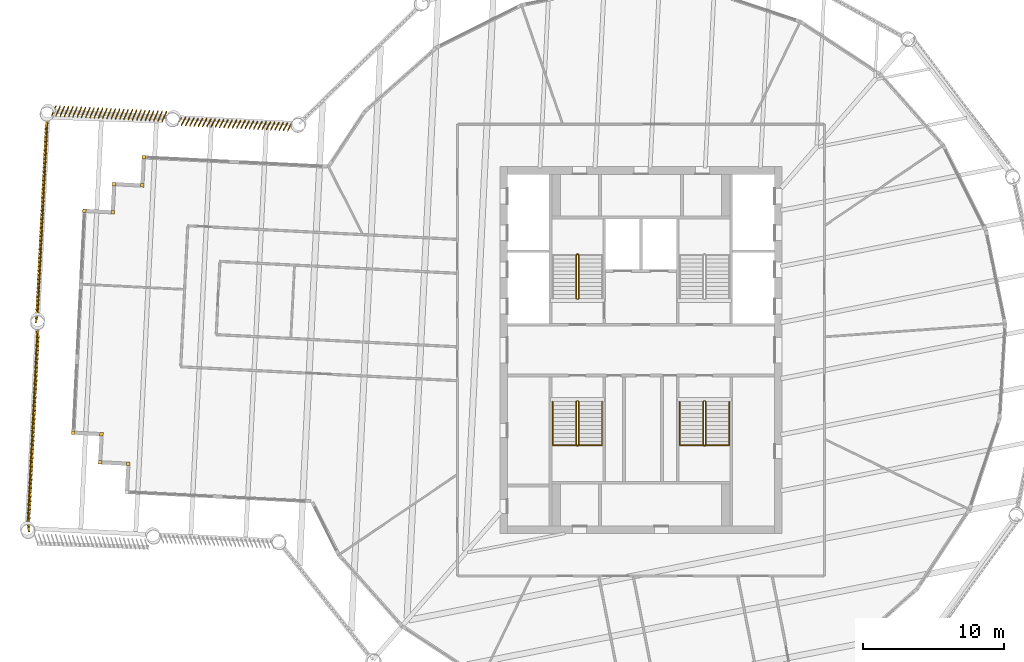
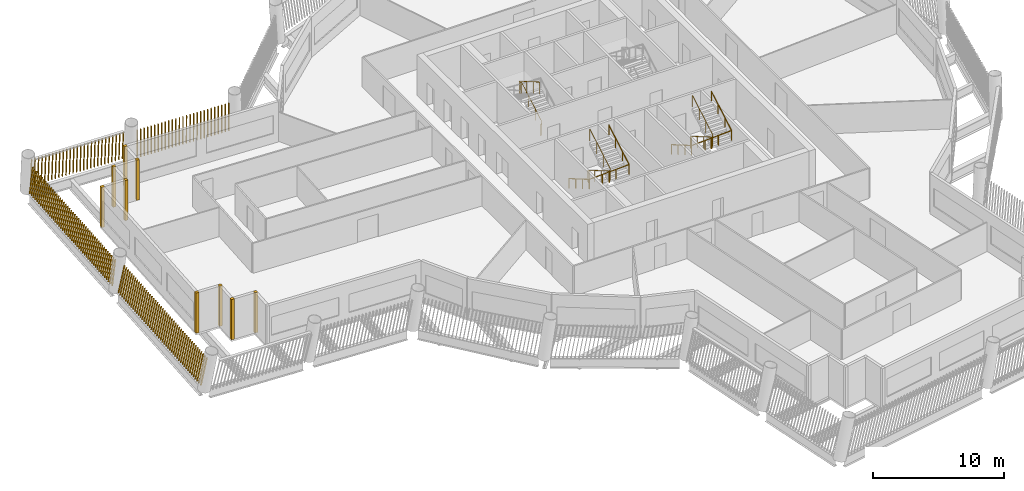
# One storey, part 11 of 14: 13 shading devices, 5 railings.
"""IFC4 building model written with IfcOpenShell, lengths in metres."""

from ifc_helpers import new_model, si_unit, direction, frame, frame_2d, origin, origin_2d, place, context, subcontext, project, spatial, rectangle, circle, composite_profile, extrude, material, type_object, element, save


model = new_model("IFC4")

# Units and contexts
model_context = context("Model", 3, precision=1e-05, world=origin(), true_north=direction((0.0, 1.0)))
body_context = subcontext(model_context, "Body", "Model", "MODEL_VIEW")
ifc_project = project(units=[si_unit("LENGTHUNIT", "METRE"), si_unit("AREAUNIT", "SQUARE_METRE"), si_unit("VOLUMEUNIT", "CUBIC_METRE"), si_unit("PLANEANGLEUNIT", "RADIAN"), si_unit("MASSUNIT", "GRAM", prefix="KILO")], contexts=[model_context])

# Site, building, storey
site_placement = place(None, origin())
site = spatial("IfcSite", under=ifc_project, at=site_placement, CompositionType="ELEMENT")
building_placement = place(site_placement, origin())
building = spatial("IfcBuilding", under=site, at=building_placement, Name="Tarsis Ring Headquarters", CompositionType="ELEMENT")
storey_placement = place(building_placement, frame((0.0, 0.0, 274.699951171875)))
storey = spatial("IfcBuildingStorey", under=building, at=storey_placement, Name="L64", CompositionType="ELEMENT", Elevation=274.699951171875)

# Railings
ifc_material_1 = material(Name="Steel S355", Category="steel")
railing_type_1 = type_object("IfcRailingType", Name="Core stair guard 1100", PredefinedType="GUARDRAIL", material=ifc_material_1)
railing_1_placement = place(storey_placement, frame((-4.5400390625, 3.610107421875, 0.0)))
element("IfcRailing", 1, at=railing_1_placement, inside=storey, type_object=railing_type_1, Name="L64 ST1 stair guard 1", PredefinedType="GUARDRAIL", context=body_context, shape_type="SweptSolid", body=[
    extrude(circle(Radius=0.02392578125, at=origin_2d()), frame((0.0, 0.0, 1.076171875), z_axis=(1.0, 0.0, 0.0), x_axis=(0.0, 1.0, 0.0)), (0.0, 0.0, 1.0), 0.080078125),
    extrude(circle(Radius=0.02392578125, at=origin_2d()), frame((0.080078125, 0.0, 1.076171875), z_axis=(0.282336740067, 0.280959487676, 0.917250092119), x_axis=(-0.705375805398, 0.708833529934, 0.0)), (0.0, 0.0, 1.0), 0.17724609375),
    extrude(circle(Radius=0.02392578125, at=origin_2d()), frame((0.130126953125, 0.0498046875, 1.23876953125), z_axis=(0.0, 0.864920483161, 0.501908913857), x_axis=(-1.0, 0.0, 0.0)), (0.0, 0.0, 1.0), 3.56103515625),
    extrude(circle(Radius=0.02392578125, at=origin_2d()), frame((0.130126953125, 3.1298828125, 3.02587890625), z_axis=(-0.707106781187, 0.707106781187, 0.0), x_axis=(-0.707106781187, -0.707106781187, 0.0)), (0.0, 0.0, 1.0), 0.07080078125),
    extrude(circle(Radius=0.02392578125, at=origin_2d()), frame((0.080078125, 3.179931640625, 3.02587890625), z_axis=(-1.0, 0.0, 0.0), x_axis=(0.0, -1.0, 0.0)), (0.0, 0.0, 1.0), 0.080078125),
    extrude(circle(Radius=0.02392578125, at=origin_2d()), frame((0.0, 3.179931640625, 3.02587890625), z_axis=(-0.282227285176, -0.282227285176, 0.916894497205), x_axis=(0.707106781187, -0.707106781187, 0.0)), (0.0, 0.0, 1.0), 0.17724609375),
    extrude(circle(Radius=0.02392578125, at=origin_2d()), frame((-0.050048828125, 3.1298828125, 3.1884765625), z_axis=(0.0, -0.864890721111, 0.501960198159), x_axis=(1.0, 0.0, 0.0)), (0.0, 0.0, 1.0), 3.561279296875),
    extrude(circle(Radius=0.02099609375, at=origin_2d()), origin(), (0.0, 0.0, 1.0), 1.052001953125),
    extrude(circle(Radius=0.02099609375, at=origin_2d()), frame((0.080078125, 0.0, 0.0)), (0.0, 0.0, 1.0), 1.052001953125),
    extrude(circle(Radius=0.02099609375, at=origin_2d()), frame((0.130126953125, 0.0498046875, 0.16259765625)), (0.0, 0.0, 1.0), 1.052001953125),
    extrude(circle(Radius=0.02099609375, at=origin_2d()), frame((0.130126953125, 1.076416015625, 0.75830078125)), (0.0, 0.0, 1.0), 1.052001953125),
    extrude(circle(Radius=0.02099609375, at=origin_2d()), frame((0.130126953125, 2.103271484375, 1.354248046875)), (0.0, 0.0, 1.0), 1.052001953125),
    extrude(circle(Radius=0.02099609375, at=origin_2d()), frame((0.130126953125, 3.1298828125, 1.949951171875)), (0.0, 0.0, 1.0), 1.052001953125),
    extrude(circle(Radius=0.02099609375, at=origin_2d()), frame((0.080078125, 3.179931640625, 1.949951171875)), (0.0, 0.0, 1.0), 1.052001953125),
    extrude(circle(Radius=0.02099609375, at=origin_2d()), frame((0.0, 3.179931640625, 1.949951171875)), (0.0, 0.0, 1.0), 1.052001953125),
    extrude(circle(Radius=0.02099609375, at=origin_2d()), frame((-0.050048828125, 3.1298828125, 2.112548828125)), (0.0, 0.0, 1.0), 1.052001953125),
    extrude(circle(Radius=0.02099609375, at=origin_2d()), frame((-0.050048828125, 2.103271484375, 2.70849609375)), (0.0, 0.0, 1.0), 1.052001953125),
    extrude(circle(Radius=0.02099609375, at=origin_2d()), frame((-0.050048828125, 1.076416015625, 3.30419921875)), (0.0, 0.0, 1.0), 1.052001953125),
    extrude(circle(Radius=0.02099609375, at=origin_2d()), frame((-0.050048828125, 0.0498046875, 3.900146484375)), (0.0, 0.0, 1.0), 1.052001953125),
])
railing_2_placement = place(storey_placement, frame((-4.4599609375, -3.610107421875, 0.0)))
element("IfcRailing", 2, at=railing_2_placement, inside=storey, type_object=railing_type_1, Name="L64 ST3 stair guard 1", PredefinedType="GUARDRAIL", context=body_context, shape_type="SweptSolid", body=[
    extrude(circle(Radius=0.02392578125, at=origin_2d()), frame((0.0, 0.0, 1.076171875), z_axis=(-1.0, 0.0, 0.0), x_axis=(0.0, -1.0, 0.0)), (0.0, 0.0, 1.0), 0.080078125),
    extrude(circle(Radius=0.02392578125, at=origin_2d()), frame((-0.080078125, 0.0, 1.076171875), z_axis=(-0.282336740067, -0.280959487676, 0.917250092119), x_axis=(0.705375805398, -0.708833529934, 0.0)), (0.0, 0.0, 1.0), 0.17724609375),
    extrude(circle(Radius=0.02392578125, at=origin_2d()), frame((-0.130126953125, -0.0498046875, 1.23876953125), z_axis=(0.0, -0.864920483161, 0.501908913857), x_axis=(1.0, 0.0, 0.0)), (0.0, 0.0, 1.0), 3.56103515625),
    extrude(circle(Radius=0.02392578125, at=origin_2d()), frame((-0.130126953125, -3.1298828125, 3.02587890625), z_axis=(0.707106781187, -0.707106781187, 0.0), x_axis=(0.707106781187, 0.707106781187, 0.0)), (0.0, 0.0, 1.0), 0.07080078125),
    extrude(circle(Radius=0.02392578125, at=origin_2d()), frame((-0.080078125, -3.179931640625, 3.02587890625), z_axis=(1.0, 0.0, 0.0), x_axis=(0.0, 1.0, 0.0)), (0.0, 0.0, 1.0), 0.080078125),
    extrude(circle(Radius=0.02392578125, at=origin_2d()), frame((0.0, -3.179931640625, 3.02587890625), z_axis=(0.282227285176, 0.282227285176, 0.916894497205), x_axis=(-0.707106781187, 0.707106781187, 0.0)), (0.0, 0.0, 1.0), 0.17724609375),
    extrude(circle(Radius=0.02392578125, at=origin_2d()), frame((0.050048828125, -3.1298828125, 3.1884765625), z_axis=(0.0, 0.864890721111, 0.501960198159), x_axis=(-1.0, 0.0, 0.0)), (0.0, 0.0, 1.0), 3.561279296875),
    extrude(circle(Radius=0.02099609375, at=origin_2d()), origin(), (0.0, 0.0, 1.0), 1.052001953125),
    extrude(circle(Radius=0.02099609375, at=origin_2d()), frame((-0.080078125, 0.0, 0.0)), (0.0, 0.0, 1.0), 1.052001953125),
    extrude(circle(Radius=0.02099609375, at=origin_2d()), frame((-0.130126953125, -0.0498046875, 0.16259765625)), (0.0, 0.0, 1.0), 1.052001953125),
    extrude(circle(Radius=0.02099609375, at=origin_2d()), frame((-0.130126953125, -1.076416015625, 0.75830078125)), (0.0, 0.0, 1.0), 1.052001953125),
    extrude(circle(Radius=0.02099609375, at=origin_2d()), frame((-0.130126953125, -2.103271484375, 1.354248046875)), (0.0, 0.0, 1.0), 1.052001953125),
    extrude(circle(Radius=0.02099609375, at=origin_2d()), frame((-0.130126953125, -3.1298828125, 1.949951171875)), (0.0, 0.0, 1.0), 1.052001953125),
    extrude(circle(Radius=0.02099609375, at=origin_2d()), frame((-0.080078125, -3.179931640625, 1.949951171875)), (0.0, 0.0, 1.0), 1.052001953125),
    extrude(circle(Radius=0.02099609375, at=origin_2d()), frame((0.0, -3.179931640625, 1.949951171875)), (0.0, 0.0, 1.0), 1.052001953125),
    extrude(circle(Radius=0.02099609375, at=origin_2d()), frame((0.050048828125, -3.1298828125, 2.112548828125)), (0.0, 0.0, 1.0), 1.052001953125),
    extrude(circle(Radius=0.02099609375, at=origin_2d()), frame((0.050048828125, -2.103271484375, 2.70849609375)), (0.0, 0.0, 1.0), 1.052001953125),
    extrude(circle(Radius=0.02099609375, at=origin_2d()), frame((0.050048828125, -1.076416015625, 3.30419921875)), (0.0, 0.0, 1.0), 1.052001953125),
    extrude(circle(Radius=0.02099609375, at=origin_2d()), frame((0.050048828125, -0.0498046875, 3.900146484375)), (0.0, 0.0, 1.0), 1.052001953125),
])
railing_3_placement = place(storey_placement, frame((4.5400390625, -3.610107421875, 0.0)))
element("IfcRailing", 3, at=railing_3_placement, inside=storey, type_object=railing_type_1, Name="L64 ST4 stair guard 1", PredefinedType="GUARDRAIL", context=body_context, shape_type="SweptSolid", body=[
    extrude(circle(Radius=0.02392578125, at=origin_2d()), frame((0.0, 0.0, 1.076171875), z_axis=(-1.0, 0.0, 0.0), x_axis=(0.0, -1.0, 0.0)), (0.0, 0.0, 1.0), 0.080078125),
    extrude(circle(Radius=0.02392578125, at=origin_2d()), frame((-0.080078125, 0.0, 1.076171875), z_axis=(-0.282336740067, -0.280959487676, 0.917250092119), x_axis=(0.705375805398, -0.708833529934, 0.0)), (0.0, 0.0, 1.0), 0.17724609375),
    extrude(circle(Radius=0.02392578125, at=origin_2d()), frame((-0.130126953125, -0.0498046875, 1.23876953125), z_axis=(0.0, -0.864920483161, 0.501908913857), x_axis=(1.0, 0.0, 0.0)), (0.0, 0.0, 1.0), 3.56103515625),
    extrude(circle(Radius=0.02392578125, at=origin_2d()), frame((-0.130126953125, -3.1298828125, 3.02587890625), z_axis=(0.707106781187, -0.707106781187, 0.0), x_axis=(0.707106781187, 0.707106781187, 0.0)), (0.0, 0.0, 1.0), 0.07080078125),
    extrude(circle(Radius=0.02392578125, at=origin_2d()), frame((-0.080078125, -3.179931640625, 3.02587890625), z_axis=(1.0, 0.0, 0.0), x_axis=(0.0, 1.0, 0.0)), (0.0, 0.0, 1.0), 0.080078125),
    extrude(circle(Radius=0.02392578125, at=origin_2d()), frame((0.0, -3.179931640625, 3.02587890625), z_axis=(0.282227285176, 0.282227285176, 0.916894497205), x_axis=(-0.707106781187, 0.707106781187, 0.0)), (0.0, 0.0, 1.0), 0.17724609375),
    extrude(circle(Radius=0.02392578125, at=origin_2d()), frame((0.050048828125, -3.1298828125, 3.1884765625), z_axis=(0.0, 0.864890721111, 0.501960198159), x_axis=(-1.0, 0.0, 0.0)), (0.0, 0.0, 1.0), 3.561279296875),
    extrude(circle(Radius=0.02099609375, at=origin_2d()), origin(), (0.0, 0.0, 1.0), 1.052001953125),
    extrude(circle(Radius=0.02099609375, at=origin_2d()), frame((-0.080078125, 0.0, 0.0)), (0.0, 0.0, 1.0), 1.052001953125),
    extrude(circle(Radius=0.02099609375, at=origin_2d()), frame((-0.130126953125, -0.0498046875, 0.16259765625)), (0.0, 0.0, 1.0), 1.052001953125),
    extrude(circle(Radius=0.02099609375, at=origin_2d()), frame((-0.130126953125, -1.076416015625, 0.75830078125)), (0.0, 0.0, 1.0), 1.052001953125),
    extrude(circle(Radius=0.02099609375, at=origin_2d()), frame((-0.130126953125, -2.103271484375, 1.354248046875)), (0.0, 0.0, 1.0), 1.052001953125),
    extrude(circle(Radius=0.02099609375, at=origin_2d()), frame((-0.130126953125, -3.1298828125, 1.949951171875)), (0.0, 0.0, 1.0), 1.052001953125),
    extrude(circle(Radius=0.02099609375, at=origin_2d()), frame((-0.080078125, -3.179931640625, 1.949951171875)), (0.0, 0.0, 1.0), 1.052001953125),
    extrude(circle(Radius=0.02099609375, at=origin_2d()), frame((0.0, -3.179931640625, 1.949951171875)), (0.0, 0.0, 1.0), 1.052001953125),
    extrude(circle(Radius=0.02099609375, at=origin_2d()), frame((0.050048828125, -3.1298828125, 2.112548828125)), (0.0, 0.0, 1.0), 1.052001953125),
    extrude(circle(Radius=0.02099609375, at=origin_2d()), frame((0.050048828125, -2.103271484375, 2.70849609375)), (0.0, 0.0, 1.0), 1.052001953125),
    extrude(circle(Radius=0.02099609375, at=origin_2d()), frame((0.050048828125, -1.076416015625, 3.30419921875)), (0.0, 0.0, 1.0), 1.052001953125),
    extrude(circle(Radius=0.02099609375, at=origin_2d()), frame((0.050048828125, -0.0498046875, 3.900146484375)), (0.0, 0.0, 1.0), 1.052001953125),
])
railing_type_2 = type_object("IfcRailingType", Name="Core stair handrail 900", PredefinedType="HANDRAIL", material=ifc_material_1)
railing_4_placement = place(storey_placement, frame((-6.25, -3.659912109375, 0.16259765625)))
element("IfcRailing", 4, at=railing_4_placement, inside=storey, type_object=railing_type_2, Name="L64 ST3 stair handrail 1", PredefinedType="HANDRAIL", context=body_context, shape_type="SweptSolid", body=[
    extrude(circle(Radius=0.02392578125, at=origin_2d()), frame((0.0, 0.0, 0.8759765625), z_axis=(0.0, -0.864920483161, 0.501908913857), x_axis=(1.0, 0.0, 0.0)), (0.0, 0.0, 1.0), 3.56103515625),
    extrude(circle(Radius=0.02392578125, at=origin_2d()), frame((0.0, -3.080078125, 2.6630859375), z_axis=(0.998922641604, 0.0, 0.046406422943), x_axis=(0.0, 1.0, 0.0)), (0.0, 0.0, 1.0), 3.503662109375),
    extrude(circle(Radius=0.02392578125, at=origin_2d()), frame((3.5, -3.080078125, 2.82568359375), z_axis=(0.0, 0.864890721111, 0.501960198159), x_axis=(-1.0, 0.0, 0.0)), (0.0, 0.0, 1.0), 3.561279296875),
    extrude(circle(Radius=0.02099609375, at=origin_2d()), origin(), (0.0, 0.0, 1.0), 0.851806640625),
    extrude(circle(Radius=0.02099609375, at=origin_2d()), frame((0.0, -1.026611328125, 0.595703125)), (0.0, 0.0, 1.0), 0.851806640625),
    extrude(circle(Radius=0.02099609375, at=origin_2d()), frame((0.0, -2.053466796875, 1.191650390625)), (0.0, 0.0, 1.0), 0.851806640625),
    extrude(circle(Radius=0.02099609375, at=origin_2d()), frame((0.0, -3.080078125, 1.787353515625)), (0.0, 0.0, 1.0), 0.851806640625),
    extrude(circle(Radius=0.02099609375, at=origin_2d()), frame((1.166748046875, -3.080078125, 1.841552734375)), (0.0, 0.0, 1.0), 0.851806640625),
    extrude(circle(Radius=0.02099609375, at=origin_2d()), frame((2.333251953125, -3.080078125, 1.895751953125)), (0.0, 0.0, 1.0), 0.851806640625),
    extrude(circle(Radius=0.02099609375, at=origin_2d()), frame((3.5, -3.080078125, 1.949951171875)), (0.0, 0.0, 1.0), 0.851806640625),
    extrude(circle(Radius=0.02099609375, at=origin_2d()), frame((3.5, -2.053466796875, 2.5458984375)), (0.0, 0.0, 1.0), 0.851806640625),
    extrude(circle(Radius=0.02099609375, at=origin_2d()), frame((3.5, -1.026611328125, 3.1416015625)), (0.0, 0.0, 1.0), 0.851806640625),
    extrude(circle(Radius=0.02099609375, at=origin_2d()), frame((3.5, 0.0, 3.737548828125)), (0.0, 0.0, 1.0), 0.851806640625),
])
railing_5_placement = place(storey_placement, frame((2.75, -3.659912109375, 0.16259765625)))
element("IfcRailing", 5, at=railing_5_placement, inside=storey, type_object=railing_type_2, Name="L64 ST4 stair handrail 1", PredefinedType="HANDRAIL", context=body_context, shape_type="SweptSolid", body=[
    extrude(circle(Radius=0.02392578125, at=origin_2d()), frame((0.0, 0.0, 0.8759765625), z_axis=(0.0, -0.864920483161, 0.501908913857), x_axis=(1.0, 0.0, 0.0)), (0.0, 0.0, 1.0), 3.56103515625),
    extrude(circle(Radius=0.02392578125, at=origin_2d()), frame((0.0, -3.080078125, 2.6630859375), z_axis=(0.998922641604, 0.0, 0.046406422943), x_axis=(0.0, 1.0, 0.0)), (0.0, 0.0, 1.0), 3.503662109375),
    extrude(circle(Radius=0.02392578125, at=origin_2d()), frame((3.5, -3.080078125, 2.82568359375), z_axis=(0.0, 0.864890721111, 0.501960198159), x_axis=(-1.0, 0.0, 0.0)), (0.0, 0.0, 1.0), 3.561279296875),
    extrude(circle(Radius=0.02099609375, at=origin_2d()), origin(), (0.0, 0.0, 1.0), 0.851806640625),
    extrude(circle(Radius=0.02099609375, at=origin_2d()), frame((0.0, -1.026611328125, 0.595703125)), (0.0, 0.0, 1.0), 0.851806640625),
    extrude(circle(Radius=0.02099609375, at=origin_2d()), frame((0.0, -2.053466796875, 1.191650390625)), (0.0, 0.0, 1.0), 0.851806640625),
    extrude(circle(Radius=0.02099609375, at=origin_2d()), frame((0.0, -3.080078125, 1.787353515625)), (0.0, 0.0, 1.0), 0.851806640625),
    extrude(circle(Radius=0.02099609375, at=origin_2d()), frame((1.166748046875, -3.080078125, 1.841552734375)), (0.0, 0.0, 1.0), 0.851806640625),
    extrude(circle(Radius=0.02099609375, at=origin_2d()), frame((2.333251953125, -3.080078125, 1.895751953125)), (0.0, 0.0, 1.0), 0.851806640625),
    extrude(circle(Radius=0.02099609375, at=origin_2d()), frame((3.5, -3.080078125, 1.949951171875)), (0.0, 0.0, 1.0), 0.851806640625),
    extrude(circle(Radius=0.02099609375, at=origin_2d()), frame((3.5, -2.053466796875, 2.5458984375)), (0.0, 0.0, 1.0), 0.851806640625),
    extrude(circle(Radius=0.02099609375, at=origin_2d()), frame((3.5, -1.026611328125, 3.1416015625)), (0.0, 0.0, 1.0), 0.851806640625),
    extrude(circle(Radius=0.02099609375, at=origin_2d()), frame((3.5, 0.0, 3.737548828125)), (0.0, 0.0, 1.0), 0.851806640625),
])

# Shading devices
ifc_material_2 = material(Name="Terracotta baguette", Category="masonry")
shading_device_type_1 = type_object("IfcShadingDeviceType", Name="Terracotta baguette screen", PredefinedType="USERDEFINED", material=ifc_material_2)
shading_device_1_placement = place(storey_placement, frame((-24.7197265625, 16.062255859375, 0.0), z_axis=(0.0, 0.0, 1.0), x_axis=(-0.998733316856, 0.050265694513, 0.0)))
element("IfcShadingDevice", 6, at=shading_device_1_placement, inside=storey, type_object=shading_device_type_1, Name="Baguette screen L64-15", ObjectType="Terracotta baguette screen", PredefinedType="USERDEFINED", context=body_context, shape_type="SweptSolid", body=[
    extrude(composite_profile([rectangle(XDim=0.06005859375, YDim=0.1201171875, at=frame_2d((0.030029296875, 0.0))), rectangle(XDim=0.06005859375, YDim=0.1201171875, at=frame_2d((0.33154296875, 0.0))), rectangle(XDim=0.06005859375, YDim=0.1201171875, at=frame_2d((0.63330078125, 0.0))), rectangle(XDim=0.06005859375, YDim=0.1201171875, at=frame_2d((0.934814453125, 0.0))), rectangle(XDim=0.06005859375, YDim=0.1201171875, at=frame_2d((1.236572265625, 0.0))), rectangle(XDim=0.06005859375, YDim=0.1201171875, at=frame_2d((1.5380859375, 0.0))), rectangle(XDim=0.06005859375, YDim=0.1201171875, at=frame_2d((1.83984375, 0.0))), rectangle(XDim=0.06005859375, YDim=0.1201171875, at=frame_2d((2.141357421875, 0.0))), rectangle(XDim=0.06005859375, YDim=0.1201171875, at=frame_2d((2.443115234375, 0.0))), rectangle(XDim=0.06005859375, YDim=0.1201171875, at=frame_2d((2.74462890625, 0.0))), rectangle(XDim=0.06005859375, YDim=0.1201171875, at=frame_2d((3.04638671875, 0.0))), rectangle(XDim=0.06005859375, YDim=0.1201171875, at=frame_2d((3.347900390625, 0.0))), rectangle(XDim=0.06005859375, YDim=0.1201171875, at=frame_2d((3.649658203125, 0.0))), rectangle(XDim=0.06005859375, YDim=0.1201171875, at=frame_2d((3.951171875, 0.0))), rectangle(XDim=0.06005859375, YDim=0.1201171875, at=frame_2d((4.252685546875, 0.0))), rectangle(XDim=0.06005859375, YDim=0.1201171875, at=frame_2d((4.554443359375, 0.0))), rectangle(XDim=0.06005859375, YDim=0.1201171875, at=frame_2d((4.85595703125, 0.0))), rectangle(XDim=0.06005859375, YDim=0.1201171875, at=frame_2d((5.15771484375, 0.0))), rectangle(XDim=0.06005859375, YDim=0.1201171875, at=frame_2d((5.459228515625, 0.0))), rectangle(XDim=0.06005859375, YDim=0.1201171875, at=frame_2d((5.760986328125, 0.0))), rectangle(XDim=0.06005859375, YDim=0.1201171875, at=frame_2d((6.0625, 0.0))), rectangle(XDim=0.06005859375, YDim=0.1201171875, at=frame_2d((6.3642578125, 0.0))), rectangle(XDim=0.06005859375, YDim=0.1201171875, at=frame_2d((6.665771484375, 0.0))), rectangle(XDim=0.06005859375, YDim=0.1201171875, at=frame_2d((6.967529296875, 0.0))), rectangle(XDim=0.06005859375, YDim=0.1201171875, at=frame_2d((7.26904296875, 0.0))), rectangle(XDim=0.06005859375, YDim=0.1201171875, at=frame_2d((7.57080078125, 0.0))), rectangle(XDim=0.06005859375, YDim=0.1201171875, at=frame_2d((7.872314453125, 0.0)))]), origin(), (0.083955774379, 0.170748481057, 0.981731319743), 3.02294921875),
])
shading_device_2_placement = place(storey_placement, frame((-33.591796875, 16.884033203125, 0.0), z_axis=(0.0, 0.0, 1.0), x_axis=(-0.998733316856, 0.050265694513, 0.0)))
element("IfcShadingDevice", 7, at=shading_device_2_placement, inside=storey, type_object=shading_device_type_1, Name="Baguette screen L64-16", ObjectType="Terracotta baguette screen", PredefinedType="USERDEFINED", context=body_context, shape_type="SweptSolid", body=[
    extrude(composite_profile([rectangle(XDim=0.06005859375, YDim=0.1201171875, at=frame_2d((0.030029296875, 0.0))), rectangle(XDim=0.06005859375, YDim=0.1201171875, at=frame_2d((0.33154296875, 0.0))), rectangle(XDim=0.06005859375, YDim=0.1201171875, at=frame_2d((0.63330078125, 0.0))), rectangle(XDim=0.06005859375, YDim=0.1201171875, at=frame_2d((0.934814453125, 0.0))), rectangle(XDim=0.06005859375, YDim=0.1201171875, at=frame_2d((1.236572265625, 0.0))), rectangle(XDim=0.06005859375, YDim=0.1201171875, at=frame_2d((1.5380859375, 0.0))), rectangle(XDim=0.06005859375, YDim=0.1201171875, at=frame_2d((1.83984375, 0.0))), rectangle(XDim=0.06005859375, YDim=0.1201171875, at=frame_2d((2.141357421875, 0.0))), rectangle(XDim=0.06005859375, YDim=0.1201171875, at=frame_2d((2.443115234375, 0.0))), rectangle(XDim=0.06005859375, YDim=0.1201171875, at=frame_2d((2.74462890625, 0.0))), rectangle(XDim=0.06005859375, YDim=0.1201171875, at=frame_2d((3.04638671875, 0.0))), rectangle(XDim=0.06005859375, YDim=0.1201171875, at=frame_2d((3.347900390625, 0.0))), rectangle(XDim=0.06005859375, YDim=0.1201171875, at=frame_2d((3.649658203125, 0.0))), rectangle(XDim=0.06005859375, YDim=0.1201171875, at=frame_2d((3.951171875, 0.0))), rectangle(XDim=0.06005859375, YDim=0.1201171875, at=frame_2d((4.252685546875, 0.0))), rectangle(XDim=0.06005859375, YDim=0.1201171875, at=frame_2d((4.554443359375, 0.0))), rectangle(XDim=0.06005859375, YDim=0.1201171875, at=frame_2d((4.85595703125, 0.0))), rectangle(XDim=0.06005859375, YDim=0.1201171875, at=frame_2d((5.15771484375, 0.0))), rectangle(XDim=0.06005859375, YDim=0.1201171875, at=frame_2d((5.459228515625, 0.0))), rectangle(XDim=0.06005859375, YDim=0.1201171875, at=frame_2d((5.760986328125, 0.0))), rectangle(XDim=0.06005859375, YDim=0.1201171875, at=frame_2d((6.0625, 0.0))), rectangle(XDim=0.06005859375, YDim=0.1201171875, at=frame_2d((6.3642578125, 0.0))), rectangle(XDim=0.06005859375, YDim=0.1201171875, at=frame_2d((6.665771484375, 0.0))), rectangle(XDim=0.06005859375, YDim=0.1201171875, at=frame_2d((6.967529296875, 0.0))), rectangle(XDim=0.06005859375, YDim=0.1201171875, at=frame_2d((7.26904296875, 0.0))), rectangle(XDim=0.06005859375, YDim=0.1201171875, at=frame_2d((7.57080078125, 0.0))), rectangle(XDim=0.06005859375, YDim=0.1201171875, at=frame_2d((7.872314453125, 0.0)))]), origin(), (0.084806793574, 0.219920044139, 0.97182456336), 3.0537109375),
])
shading_device_3_placement = place(storey_placement, frame((-42.02734375, 16.432373046875, 0.0), z_axis=(0.0, 0.0, 1.0), x_axis=(-0.05024414408, -0.998743896398, 0.0)))
element("IfcShadingDevice", 8, at=shading_device_3_placement, inside=storey, type_object=shading_device_type_1, Name="Baguette screen L64-17", ObjectType="Terracotta baguette screen", PredefinedType="USERDEFINED", context=body_context, shape_type="SweptSolid", body=[
    extrude(composite_profile([rectangle(XDim=0.06005859375, YDim=0.1201171875, at=frame_2d((0.030029296875, 0.0))), rectangle(XDim=0.06005859375, YDim=0.1201171875, at=frame_2d((0.33544921875, 0.0))), rectangle(XDim=0.06005859375, YDim=0.1201171875, at=frame_2d((0.640625, 0.0))), rectangle(XDim=0.06005859375, YDim=0.1201171875, at=frame_2d((0.946044921875, 0.0))), rectangle(XDim=0.06005859375, YDim=0.1201171875, at=frame_2d((1.25146484375, 0.0))), rectangle(XDim=0.06005859375, YDim=0.1201171875, at=frame_2d((1.556640625, 0.0))), rectangle(XDim=0.06005859375, YDim=0.1201171875, at=frame_2d((1.862060546875, 0.0))), rectangle(XDim=0.06005859375, YDim=0.1201171875, at=frame_2d((2.16748046875, 0.0))), rectangle(XDim=0.06005859375, YDim=0.1201171875, at=frame_2d((2.47265625, 0.0))), rectangle(XDim=0.06005859375, YDim=0.1201171875, at=frame_2d((2.778076171875, 0.0))), rectangle(XDim=0.06005859375, YDim=0.1201171875, at=frame_2d((3.08349609375, 0.0))), rectangle(XDim=0.06005859375, YDim=0.1201171875, at=frame_2d((3.388671875, 0.0))), rectangle(XDim=0.06005859375, YDim=0.1201171875, at=frame_2d((3.694091796875, 0.0))), rectangle(XDim=0.06005859375, YDim=0.1201171875, at=frame_2d((3.99951171875, 0.0))), rectangle(XDim=0.06005859375, YDim=0.1201171875, at=frame_2d((4.3046875, 0.0))), rectangle(XDim=0.06005859375, YDim=0.1201171875, at=frame_2d((4.610107421875, 0.0))), rectangle(XDim=0.06005859375, YDim=0.1201171875, at=frame_2d((4.91552734375, 0.0))), rectangle(XDim=0.06005859375, YDim=0.1201171875, at=frame_2d((5.220703125, 0.0))), rectangle(XDim=0.06005859375, YDim=0.1201171875, at=frame_2d((5.526123046875, 0.0))), rectangle(XDim=0.06005859375, YDim=0.1201171875, at=frame_2d((5.83154296875, 0.0))), rectangle(XDim=0.06005859375, YDim=0.1201171875, at=frame_2d((6.13671875, 0.0))), rectangle(XDim=0.06005859375, YDim=0.1201171875, at=frame_2d((6.442138671875, 0.0))), rectangle(XDim=0.06005859375, YDim=0.1201171875, at=frame_2d((6.74755859375, 0.0))), rectangle(XDim=0.06005859375, YDim=0.1201171875, at=frame_2d((7.052734375, 0.0))), rectangle(XDim=0.06005859375, YDim=0.1201171875, at=frame_2d((7.358154296875, 0.0))), rectangle(XDim=0.06005859375, YDim=0.1201171875, at=frame_2d((7.66357421875, 0.0))), rectangle(XDim=0.06005859375, YDim=0.1201171875, at=frame_2d((7.96875, 0.0))), rectangle(XDim=0.06005859375, YDim=0.1201171875, at=frame_2d((8.274169921875, 0.0))), rectangle(XDim=0.06005859375, YDim=0.1201171875, at=frame_2d((8.57958984375, 0.0))), rectangle(XDim=0.06005859375, YDim=0.1201171875, at=frame_2d((8.884765625, 0.0))), rectangle(XDim=0.06005859375, YDim=0.1201171875, at=frame_2d((9.190185546875, 0.0))), rectangle(XDim=0.06005859375, YDim=0.1201171875, at=frame_2d((9.49560546875, 0.0))), rectangle(XDim=0.06005859375, YDim=0.1201171875, at=frame_2d((9.80078125, 0.0))), rectangle(XDim=0.06005859375, YDim=0.1201171875, at=frame_2d((10.106201171875, 0.0))), rectangle(XDim=0.06005859375, YDim=0.1201171875, at=frame_2d((10.41162109375, 0.0))), rectangle(XDim=0.06005859375, YDim=0.1201171875, at=frame_2d((10.716796875, 0.0))), rectangle(XDim=0.06005859375, YDim=0.1201171875, at=frame_2d((11.022216796875, 0.0))), rectangle(XDim=0.06005859375, YDim=0.1201171875, at=frame_2d((11.32763671875, 0.0))), rectangle(XDim=0.06005859375, YDim=0.1201171875, at=frame_2d((11.6328125, 0.0))), rectangle(XDim=0.06005859375, YDim=0.1201171875, at=frame_2d((11.938232421875, 0.0))), rectangle(XDim=0.06005859375, YDim=0.1201171875, at=frame_2d((12.24365234375, 0.0))), rectangle(XDim=0.06005859375, YDim=0.1201171875, at=frame_2d((12.548828125, 0.0))), rectangle(XDim=0.06005859375, YDim=0.1201171875, at=frame_2d((12.854248046875, 0.0))), rectangle(XDim=0.06005859375, YDim=0.1201171875, at=frame_2d((13.15966796875, 0.0))), rectangle(XDim=0.06005859375, YDim=0.1201171875, at=frame_2d((13.46484375, 0.0))), rectangle(XDim=0.06005859375, YDim=0.1201171875, at=frame_2d((13.770263671875, 0.0)))]), origin(), (0.244231037315, -0.040035342976, 0.968890278476), 3.06298828125),
])
shading_device_4_placement = place(storey_placement, frame((-42.77099609375, 1.651123046875, 0.0), z_axis=(0.0, 0.0, 1.0), x_axis=(-0.050243255197, -0.99874391862, 0.0)))
element("IfcShadingDevice", 9, at=shading_device_4_placement, inside=storey, type_object=shading_device_type_1, Name="Baguette screen L64-18", ObjectType="Terracotta baguette screen", PredefinedType="USERDEFINED", context=body_context, shape_type="SweptSolid", body=[
    extrude(composite_profile([rectangle(XDim=0.06005859375, YDim=0.1201171875, at=frame_2d((0.030029296875, 0.0))), rectangle(XDim=0.06005859375, YDim=0.1201171875, at=frame_2d((0.33544921875, 0.0))), rectangle(XDim=0.06005859375, YDim=0.1201171875, at=frame_2d((0.640625, 0.0))), rectangle(XDim=0.06005859375, YDim=0.1201171875, at=frame_2d((0.946044921875, 0.0))), rectangle(XDim=0.06005859375, YDim=0.1201171875, at=frame_2d((1.25146484375, 0.0))), rectangle(XDim=0.06005859375, YDim=0.1201171875, at=frame_2d((1.556640625, 0.0))), rectangle(XDim=0.06005859375, YDim=0.1201171875, at=frame_2d((1.862060546875, 0.0))), rectangle(XDim=0.06005859375, YDim=0.1201171875, at=frame_2d((2.16748046875, 0.0))), rectangle(XDim=0.06005859375, YDim=0.1201171875, at=frame_2d((2.47265625, 0.0))), rectangle(XDim=0.06005859375, YDim=0.1201171875, at=frame_2d((2.778076171875, 0.0))), rectangle(XDim=0.06005859375, YDim=0.1201171875, at=frame_2d((3.08349609375, 0.0))), rectangle(XDim=0.06005859375, YDim=0.1201171875, at=frame_2d((3.388671875, 0.0))), rectangle(XDim=0.06005859375, YDim=0.1201171875, at=frame_2d((3.694091796875, 0.0))), rectangle(XDim=0.06005859375, YDim=0.1201171875, at=frame_2d((3.99951171875, 0.0))), rectangle(XDim=0.06005859375, YDim=0.1201171875, at=frame_2d((4.3046875, 0.0))), rectangle(XDim=0.06005859375, YDim=0.1201171875, at=frame_2d((4.610107421875, 0.0))), rectangle(XDim=0.06005859375, YDim=0.1201171875, at=frame_2d((4.91552734375, 0.0))), rectangle(XDim=0.06005859375, YDim=0.1201171875, at=frame_2d((5.220703125, 0.0))), rectangle(XDim=0.06005859375, YDim=0.1201171875, at=frame_2d((5.526123046875, 0.0))), rectangle(XDim=0.06005859375, YDim=0.1201171875, at=frame_2d((5.83154296875, 0.0))), rectangle(XDim=0.06005859375, YDim=0.1201171875, at=frame_2d((6.13671875, 0.0))), rectangle(XDim=0.06005859375, YDim=0.1201171875, at=frame_2d((6.442138671875, 0.0))), rectangle(XDim=0.06005859375, YDim=0.1201171875, at=frame_2d((6.74755859375, 0.0))), rectangle(XDim=0.06005859375, YDim=0.1201171875, at=frame_2d((7.052734375, 0.0))), rectangle(XDim=0.06005859375, YDim=0.1201171875, at=frame_2d((7.358154296875, 0.0))), rectangle(XDim=0.06005859375, YDim=0.1201171875, at=frame_2d((7.66357421875, 0.0))), rectangle(XDim=0.06005859375, YDim=0.1201171875, at=frame_2d((7.96875, 0.0))), rectangle(XDim=0.06005859375, YDim=0.1201171875, at=frame_2d((8.274169921875, 0.0))), rectangle(XDim=0.06005859375, YDim=0.1201171875, at=frame_2d((8.57958984375, 0.0))), rectangle(XDim=0.06005859375, YDim=0.1201171875, at=frame_2d((8.884765625, 0.0))), rectangle(XDim=0.06005859375, YDim=0.1201171875, at=frame_2d((9.190185546875, 0.0))), rectangle(XDim=0.06005859375, YDim=0.1201171875, at=frame_2d((9.49560546875, 0.0))), rectangle(XDim=0.06005859375, YDim=0.1201171875, at=frame_2d((9.80078125, 0.0))), rectangle(XDim=0.06005859375, YDim=0.1201171875, at=frame_2d((10.106201171875, 0.0))), rectangle(XDim=0.06005859375, YDim=0.1201171875, at=frame_2d((10.41162109375, 0.0))), rectangle(XDim=0.06005859375, YDim=0.1201171875, at=frame_2d((10.716796875, 0.0))), rectangle(XDim=0.06005859375, YDim=0.1201171875, at=frame_2d((11.022216796875, 0.0))), rectangle(XDim=0.06005859375, YDim=0.1201171875, at=frame_2d((11.32763671875, 0.0))), rectangle(XDim=0.06005859375, YDim=0.1201171875, at=frame_2d((11.6328125, 0.0))), rectangle(XDim=0.06005859375, YDim=0.1201171875, at=frame_2d((11.938232421875, 0.0))), rectangle(XDim=0.06005859375, YDim=0.1201171875, at=frame_2d((12.24365234375, 0.0))), rectangle(XDim=0.06005859375, YDim=0.1201171875, at=frame_2d((12.548828125, 0.0))), rectangle(XDim=0.06005859375, YDim=0.1201171875, at=frame_2d((12.854248046875, 0.0))), rectangle(XDim=0.06005859375, YDim=0.1201171875, at=frame_2d((13.15966796875, 0.0))), rectangle(XDim=0.06005859375, YDim=0.1201171875, at=frame_2d((13.46484375, 0.0))), rectangle(XDim=0.06005859375, YDim=0.1201171875, at=frame_2d((13.770263671875, 0.0)))]), origin(), (0.243495321448, 0.044291029947, 0.968890258543), 3.06298828125),
])
shading_device_type_2 = type_object("IfcShadingDeviceType", Name="Terracotta corner baguette 250x250", PredefinedType="USERDEFINED", material=ifc_material_2)
for number, where, z_axis, x_axis, name in (
    (10, (-35.233154296875, 13.66259765625, 0.0), (0.0, 0.0, 1.0), (-0.998736957483, 0.050244300749, 0.0), "Corner baguette L64-32"),
    (11, (-35.33349609375, 11.6650390625, 0.0), (0.0, 0.0, 1.0), (-0.050244492492, -0.998736947837, 0.0), "Corner baguette L64-33"),
    (12, (-37.3310546875, 11.765625, 0.0), (0.0, 0.0, 1.0), (-0.998736971514, 0.050244021849, 0.0), "Corner baguette L64-34"),
    (13, (-37.431396484375, 9.76806640625, 0.0), (0.0, 0.0, 1.0), (-0.050244004417, -0.998736972391, 0.0), "Corner baguette L64-35"),
    (14, (-39.428955078125, 9.86865234375, 0.0), (0.0, 0.0, 1.0), (-0.998736948714, 0.050244475061, 0.0), "Corner baguette L64-36"),
    (15, (-40.22021484375, -5.861572265625, 0.0), (0.0, 0.0, 1.0), (-0.05024431818, -0.998736956606, 0.0), "Corner baguette L64-37"),
    (16, (-38.222900390625, -5.962158203125, 0.0), (0.0, 0.0, 1.0), (0.998736972391, -0.050244004417, 0.0), "Corner baguette L64-38"),
    (17, (-38.3232421875, -7.95947265625, 0.0), (0.0, 0.0, 1.0), (-0.050244475061, -0.998736948714, 0.0), "Corner baguette L64-39"),
    (18, (-36.325927734375, -8.06005859375, 0.0), (0.0, 0.0, 1.0), (0.998736947837, -0.050244492492, 0.0), "Corner baguette L64-40"),
):
    element("IfcShadingDevice", number, at=place(storey_placement, frame(where, z_axis=z_axis, x_axis=x_axis)), inside=storey, type_object=shading_device_type_2, Name=name, ObjectType="Terracotta corner baguette", PredefinedType="USERDEFINED", context=body_context, shape_type="SweptSolid", body=[
        extrude(rectangle(XDim=0.25, YDim=0.25, at=origin_2d()), origin(), (0.0, 0.0, 1.0), 3.739990234375),
    ])

save(model, "model.ifc")
